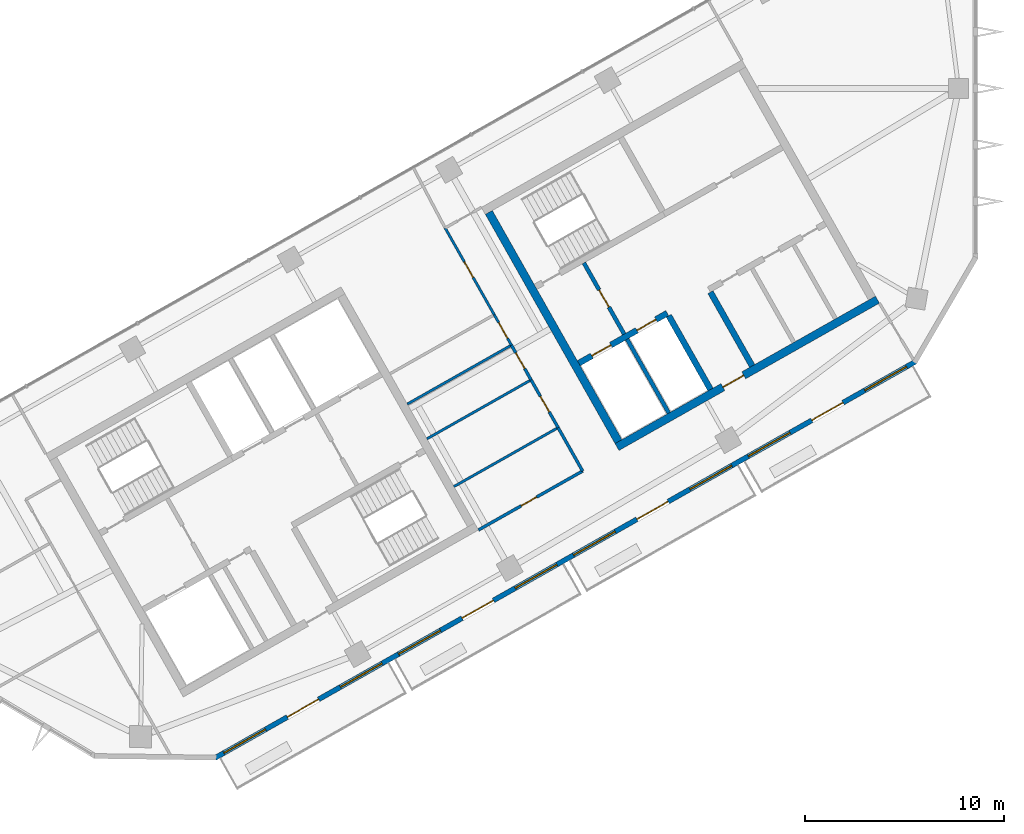
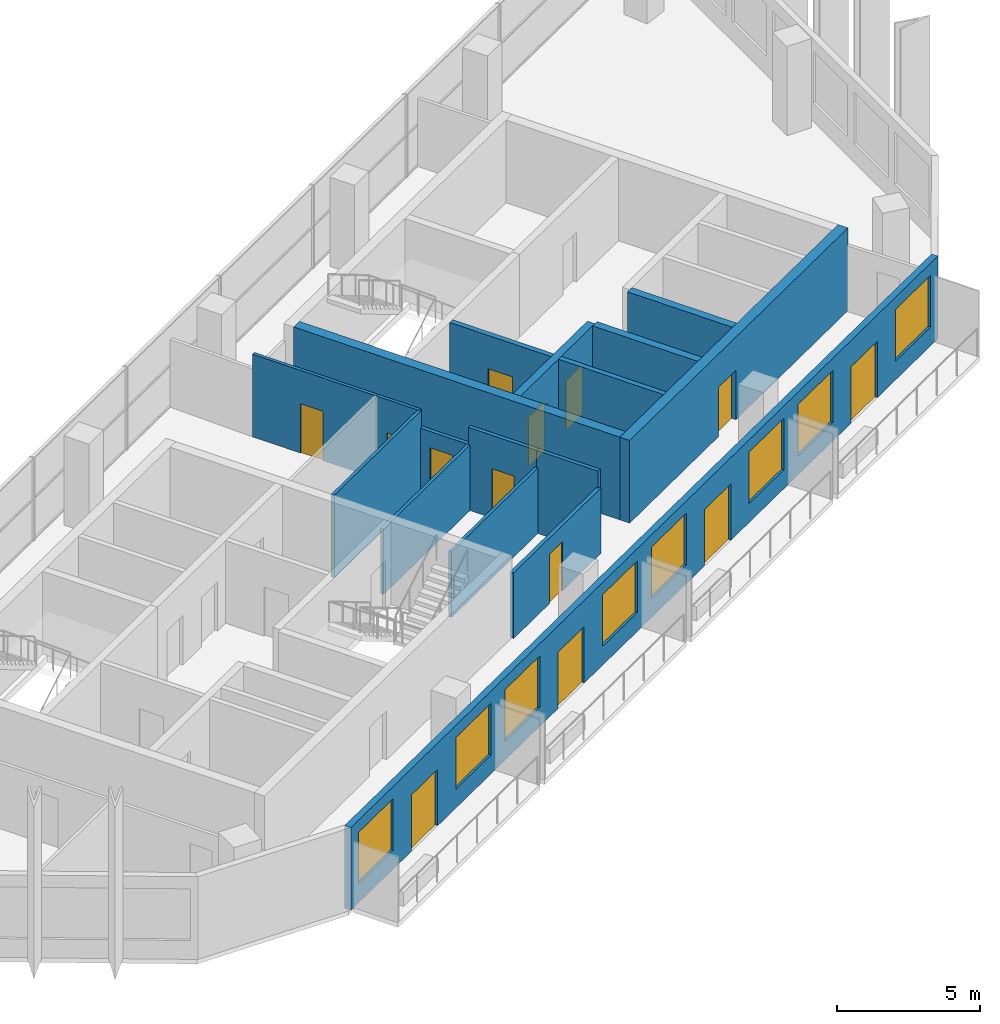
# One storey, part 7 of 10: 17 walls, 13 doors, 8 windows, 21 openings.
"""IFC4 building model written with IfcOpenShell, lengths in metres."""

import ifcopenshell
import ifcopenshell.guid

model = None  # the IFC model being written
_history = None  # IfcOwnerHistory: only IFC2X3 demands one
_inside = {}  # id of a spatial element -> (the spatial element, [elements in it])
_under = {}  # id of a project, library or spatial element -> (it, [spatial elements below it])
_declared = {}  # id of a project -> (the project, [libraries it declares])
_typed = {}  # id of a type object -> (the type object, [elements of that type])
_made_of = {}  # id of a material, layer set ... -> (it, [elements and type objects made of it])


def new_model(schema):
    """Start an empty IFC model of exactly this schema.

    Asked for "IFC4X3", IfcOpenShell would pick the latest addendum, in which some entities
    have other attributes; the version numbers below select the first issue.
    IFC2X3 requires an IfcOwnerHistory on every rooted entity: one is made here for all.
    """
    global model, _history
    if schema == "IFC4X3":
        model = ifcopenshell.file(schema_version=(4, 3, 0, 0))
    else:
        model = ifcopenshell.file(schema=schema)
    _inside.clear()
    _under.clear()
    _declared.clear()
    _typed.clear()
    _made_of.clear()
    _history = None
    if model.schema == "IFC2X3":
        org = make("IfcOrganization", Name="unknown")
        user = make(
            "IfcPersonAndOrganization",
            ThePerson=make("IfcPerson", FamilyName="unknown"),
            TheOrganization=org,
        )
        app = make(
            "IfcApplication",
            ApplicationDeveloper=org,
            Version="unknown",
            ApplicationFullName="unknown",
            ApplicationIdentifier="unknown",
        )
        _history = make(
            "IfcOwnerHistory",
            OwningUser=user,
            OwningApplication=app,
            ChangeAction="ADDED",
            CreationDate=0,
        )
    return model


def make(cls, **values):
    """One entity of the class cls with the attributes given. An attribute that is None is left unset."""
    return model.create_entity(
        cls, **{name: value for name, value in values.items() if value is not None}
    )


def rooted(cls, **values):
    """An entity with a GlobalId (a new one), such as an element, a storey or a relation."""
    return make(cls, GlobalId=ifcopenshell.guid.new(), OwnerHistory=_history, **values)


def si_unit(unit_type, name, prefix=None):
    """IfcSIUnit, for example si_unit("LENGTHUNIT", "METRE", prefix="MILLI")."""
    return make("IfcSIUnit", UnitType=unit_type, Prefix=prefix, Name=name)


def assignment(units):
    """IfcUnitAssignment: the units of a project."""
    return None if units is None else make("IfcUnitAssignment", Units=units)


def point(xyz):
    """IfcCartesianPoint."""
    return None if xyz is None else make("IfcCartesianPoint", Coordinates=xyz)


def direction(xyz):
    """IfcDirection."""
    return None if xyz is None else make("IfcDirection", DirectionRatios=xyz)


def frame(location, z_axis=None, x_axis=None):
    """IfcAxis2Placement3D, a coordinate frame: its origin and axes. An axis left out is left unset."""
    return make(
        "IfcAxis2Placement3D",
        Location=point(location),
        Axis=direction(z_axis),
        RefDirection=direction(x_axis),
    )


def frame_2d(location, x_axis=None):
    """IfcAxis2Placement2D, a coordinate frame in the plane: its origin and x axis."""
    return make(
        "IfcAxis2Placement2D", Location=point(location), RefDirection=direction(x_axis)
    )


def origin():
    """The frame at (0, 0, 0) with its axes left unset."""
    return frame((0.0, 0.0, 0.0))


def place(relative_to, where):
    """IfcLocalPlacement: puts the frame where relative to a parent placement (None: the world)."""
    return make(
        "IfcLocalPlacement", PlacementRelTo=relative_to, RelativePlacement=where
    )


def context(
    kind, dimensions, precision=None, world=None, true_north=None, identifier=None
):
    """IfcGeometricRepresentationContext, for example the 3D "Model" context."""
    return make(
        "IfcGeometricRepresentationContext",
        ContextIdentifier=identifier,
        ContextType=kind,
        CoordinateSpaceDimension=dimensions,
        Precision=precision,
        WorldCoordinateSystem=world,
        TrueNorth=true_north,
    )


def subcontext(parent, identifier, kind, view, scale=None):
    """IfcGeometricRepresentationSubContext, for example "Body" below "Model"."""
    return make(
        "IfcGeometricRepresentationSubContext",
        ContextIdentifier=identifier,
        ContextType=kind,
        ParentContext=parent,
        TargetScale=scale,
        TargetView=view,
    )


def project(units=None, contexts=None):
    """IfcProject with its units and contexts."""
    return rooted(
        "IfcProject",
        Name="project",
        RepresentationContexts=contexts,
        UnitsInContext=assignment(units),
    )


def spatial(cls, under=None, at=None, **own):
    """A site, building, storey or space (cls), placed at a placement, below another one or the project."""
    s = rooted(cls, ObjectPlacement=at, **own)
    if under is not None:
        _under.setdefault(under.id(), (under, []))[1].append(s)
    return s


def profile(cls, at=None, kind="AREA", **sizes):
    """A parametric profile (cls). Its sizes go by their IFC names, for example OverallWidth=200.0."""
    return make(cls, ProfileType=kind, Position=at, **sizes)


def rectangle(**sizes):
    """IfcRectangleProfileDef."""
    return profile("IfcRectangleProfileDef", **sizes)


def extrude(swept, where, along, depth):
    """IfcExtrudedAreaSolid: the profile swept, set in the frame where, extruded along a direction by depth."""
    return make(
        "IfcExtrudedAreaSolid",
        SweptArea=swept,
        Position=where,
        ExtrudedDirection=direction(along),
        Depth=depth,
    )


def shape(context_of_items, identifier, shape_type, items):
    """IfcShapeRepresentation: the items that make up one representation, for example the "Body"."""
    return make(
        "IfcShapeRepresentation",
        ContextOfItems=context_of_items,
        RepresentationIdentifier=identifier,
        RepresentationType=shape_type,
        Items=items,
    )


def material(Name=None, Category=None):
    """IfcMaterial."""
    return make("IfcMaterial", Name=Name, Category=Category)


def layer(
    of_material, thickness, ventilated=None, Name=None, Category=None, Priority=None
):
    """IfcMaterialLayer: one layer of a wall or slab, of a material (None: an air gap)."""
    return make(
        "IfcMaterialLayer",
        Material=of_material,
        LayerThickness=thickness,
        IsVentilated=ventilated,
        Name=Name,
        Category=Category,
        Priority=Priority,
    )


def layer_set(layers, Name=None):
    """IfcMaterialLayerSet."""
    return make("IfcMaterialLayerSet", MaterialLayers=layers, LayerSetName=Name)


def made_of(thing, what):
    """Note that an element or type object is made of a material, layer set ...; save() writes the relation."""
    if what is not None:
        _made_of.setdefault(what.id(), (what, []))[1].append(thing)
    return thing


def type_object(cls, material=None, **own):
    """A type object (cls), such as IfcWallType, which elements share."""
    return made_of(rooted(cls, **own), material)


def element(
    cls,
    number,
    at=None,
    inside=None,
    cuts=None,
    type_object=None,
    material=None,
    context=None,
    identifier="Body",
    shape_type=None,
    held_by="IfcProductDefinitionShape",
    body=None,
    shapes=None,
    **own,
):
    """One element of the class cls, such as IfcWall. Its Tag is "e" and its number.

    at: its placement. inside: the storey or other place that contains it. cuts: it is an
    opening in that element (IfcRelVoidsElement). A single representation is given by context,
    identifier, shape_type and body (its items); several are given by shapes. held_by: the class
    of the entity that holds the representations. save() writes the other relations.
    """
    e = rooted(cls, Tag="e%d" % number, ObjectPlacement=at, **own)
    if body is not None:
        shapes = [shape(context, identifier, shape_type, body)]
    if shapes is not None:
        e.Representation = make(held_by, Representations=shapes)
    if inside is not None:
        _inside.setdefault(inside.id(), (inside, []))[1].append(e)
    if cuts is not None:
        rooted(
            "IfcRelVoidsElement", RelatingBuildingElement=cuts, RelatedOpeningElement=e
        )
    if type_object is not None:
        _typed.setdefault(type_object.id(), (type_object, []))[1].append(e)
    return made_of(e, material)


def fill(opening, filler):
    """IfcRelFillsElement: the door or window that sits in an opening."""
    return rooted(
        "IfcRelFillsElement",
        RelatingOpeningElement=opening,
        RelatedBuildingElement=filler,
    )


def aggregate(whole, parts):
    """IfcRelAggregates: a whole, such as a stair, and the parts it consists of."""
    return rooted("IfcRelAggregates", RelatingObject=whole, RelatedObjects=parts)


def save(model, path):
    """Write the relations noted so far, then the file.

    IfcRelAggregates (storeys below a building ...), IfcRelContainedInSpatialStructure (elements
    in a storey), IfcRelDefinesByType, IfcRelAssociatesMaterial and IfcRelDeclares: one each for
    every whole, place, type object, material and project.
    """
    for whole, parts in _under.values():
        aggregate(whole, parts)
    for where, things in _inside.values():
        rooted(
            "IfcRelContainedInSpatialStructure",
            RelatedElements=things,
            RelatingStructure=where,
        )
    for kind, things in _typed.values():
        rooted("IfcRelDefinesByType", RelatedObjects=things, RelatingType=kind)
    for what, things in _made_of.values():
        rooted("IfcRelAssociatesMaterial", RelatedObjects=things, RelatingMaterial=what)
    for by, libraries in _declared.values():
        rooted("IfcRelDeclares", RelatingContext=by, RelatedDefinitions=libraries)
    model.write(path)


model = new_model("IFC4")

# Units and contexts
model_context = context("Model", 3, precision=1e-05, world=origin(), true_north=direction((0.0, 1.0)))
body_context = subcontext(model_context, "Body", "Model", "MODEL_VIEW")
ifc_project = project(units=[si_unit("LENGTHUNIT", "METRE"), si_unit("AREAUNIT", "SQUARE_METRE"), si_unit("VOLUMEUNIT", "CUBIC_METRE"), si_unit("PLANEANGLEUNIT", "RADIAN"), si_unit("MASSUNIT", "GRAM", prefix="KILO")], contexts=[model_context])

# Site, building, storey
site_placement = place(None, origin())
site = spatial("IfcSite", under=ifc_project, at=site_placement, CompositionType="ELEMENT")
building_placement = place(site_placement, origin())
building = spatial("IfcBuilding", under=site, at=building_placement, Name="Binnacle Exchange Tower", CompositionType="ELEMENT")
storey_placement = place(building_placement, frame((0.0, 0.0, 339.300048828125)))
storey = spatial("IfcBuildingStorey", under=building, at=storey_placement, Name="L77", CompositionType="ELEMENT", Elevation=339.300048828125)

# Wall, openings, doors
ifc_material_1 = material(Name="Concrete C70/85", Category="concrete")
ifc_layer_1 = layer(ifc_material_1, 0.300048828125)
ifc_layer_set_1 = layer_set([ifc_layer_1], Name="Core wall - front 300")
wall_type_1 = type_object("IfcWallType", Name="Core wall - front 300", PredefinedType="SOLIDWALL", material=ifc_layer_set_1)
wall_1_placement = place(storey_placement, frame((-19.89208984375, 46.2177734375, 0.0), z_axis=(0.0, 0.0, 1.0), x_axis=(0.870341639186, 0.492448404505, 0.0)))
wall_1 = element("IfcWall", 1, at=wall_1_placement, inside=storey, type_object=wall_type_1, Name="Core wall CRWC2", PredefinedType="SOLIDWALL", context=body_context, shape_type="SweptSolid", body=[
    extrude(rectangle(XDim=5.099853515625, YDim=0.300048828125, at=frame_2d((2.5498046875, 0.0))), origin(), (0.0, 0.0, 1.0), 3.52001953125),
])
opening_1_placement = place(wall_1_placement, frame((0.75, 0.0, 0.0)))
opening_1 = element("IfcOpeningElement", 2, at=opening_1_placement, cuts=wall_1, Name="Opening LD14", PredefinedType="OPENING", context=body_context, shape_type="SweptSolid", body=[
    extrude(rectangle(XDim=1.10009765625, YDim=2.10009765625, at=frame_2d((0.550048828125, 1.050048828125))), frame((0.0, 0.159912109375, 0.0), z_axis=(0.0, -1.0, 0.0), x_axis=(1.0, 0.0, 0.0)), (0.0, 0.0, 1.0), 0.320068359375),
])
opening_2_placement = place(wall_1_placement, frame((3.35009765625, 0.0, 0.0)))
opening_2 = element("IfcOpeningElement", 3, at=opening_2_placement, cuts=wall_1, Name="Opening LD11", PredefinedType="OPENING", context=body_context, shape_type="SweptSolid", body=[
    extrude(rectangle(XDim=1.10009765625, YDim=2.10009765625, at=frame_2d((0.550048828125, 1.050048828125))), frame((0.0, 0.159912109375, 0.0), z_axis=(0.0, -1.0, 0.0), x_axis=(1.0, 0.0, 0.0)), (0.0, 0.0, 1.0), 0.320068359375),
])
ifc_material_2 = material(Name="Steel door leaf", Category="steel")
door_type_1 = type_object("IfcDoorType", Name="Fire door - lift landing 1100", OperationType="NOTDEFINED", PredefinedType="DOOR", material=ifc_material_2)
door_1_placement = place(opening_1_placement, origin())
door_1 = element("IfcDoor", 4, at=door_1_placement, inside=storey, type_object=door_type_1, Name="Landing door LD14 L77", OperationType="DOUBLE_DOOR_SLIDING", OverallHeight=2.10009765625, OverallWidth=1.10009765625, PredefinedType="DOOR", context=body_context, shape_type="SweptSolid", body=[
    extrude(rectangle(XDim=1.10009765625, YDim=2.10009765625, at=frame_2d((0.550048828125, 1.050048828125))), frame((0.0, 0.02490234375, 0.0), z_axis=(0.0, -1.0, 0.0), x_axis=(1.0, 0.0, 0.0)), (0.0, 0.0, 1.0), 0.050048828125),
])
fill(opening_1, door_1)
door_2_placement = place(opening_2_placement, origin())
door_2 = element("IfcDoor", 5, at=door_2_placement, inside=storey, type_object=door_type_1, Name="Landing door LD11 L77", OperationType="DOUBLE_DOOR_SLIDING", OverallHeight=2.10009765625, OverallWidth=1.10009765625, PredefinedType="DOOR", context=body_context, shape_type="SweptSolid", body=[
    extrude(rectangle(XDim=1.10009765625, YDim=2.10009765625, at=frame_2d((0.550048828125, 1.050048828125))), frame((0.0, 0.02490234375, 0.0), z_axis=(0.0, -1.0, 0.0), x_axis=(1.0, 0.0, 0.0)), (0.0, 0.0, 1.0), 0.050048828125),
])
fill(opening_2, door_2)

# Walls
wall_2_placement = place(storey_placement, frame((-15.37939453125, 48.5986328125, 0.0), z_axis=(0.0, 0.0, 1.0), x_axis=(0.492422543467, -0.870356271124, 0.0)))
element("IfcWall", 6, at=wall_2_placement, inside=storey, type_object=wall_type_1, Name="Core wall CRWC13", PredefinedType="SOLIDWALL", context=body_context, shape_type="SweptSolid", body=[
    extrude(rectangle(XDim=4.25, YDim=0.300048828125, at=frame_2d((2.125, 0.0))), origin(), (0.0, 0.0, 1.0), 3.52001953125),
])
wall_3_placement = place(storey_placement, frame((-13.29052734375, 49.780517578125, 0.0), z_axis=(0.0, 0.0, 1.0), x_axis=(0.492397924348, -0.870370199454, 0.0)))
element("IfcWall", 7, at=wall_3_placement, inside=storey, type_object=wall_type_1, Name="Core wall CRWC15", PredefinedType="SOLIDWALL", context=body_context, shape_type="SweptSolid", body=[
    extrude(rectangle(XDim=4.250244140625, YDim=0.300048828125, at=frame_2d((2.125, 0.0))), origin(), (0.0, 0.0, 1.0), 3.52001953125),
])

# Wall, opening, door
ifc_layer_2 = layer(ifc_material_1, 0.39990234375)
ifc_layer_set_2 = layer_set([ifc_layer_2], Name="Core wall - outer 400")
wall_type_2 = type_object("IfcWallType", Name="Core wall - outer 400", PredefinedType="SOLIDWALL", material=ifc_layer_set_2)
wall_4_placement = place(storey_placement, frame((-17.97509765625, 42.01708984375, 0.0), z_axis=(0.0, 0.0, 1.0), x_axis=(0.87034965173, 0.492434243055, 0.0)))
wall_4 = element("IfcWall", 8, at=wall_4_placement, inside=storey, type_object=wall_type_2, Name="Core wall CRWC1", PredefinedType="SOLIDWALL", context=body_context, shape_type="SweptSolid", body=[
    extrude(rectangle(XDim=15.0, YDim=0.39990234375, at=frame_2d((7.5, 0.0))), origin(), (0.0, 0.0, 1.0), 3.52001953125),
])
opening_3_placement = place(wall_4_placement, frame((6.10009765625, 0.0, 0.0)))
opening_3 = element("IfcOpeningElement", 9, at=opening_3_placement, cuts=wall_4, Name="Opening DC7", PredefinedType="OPENING", context=body_context, shape_type="SweptSolid", body=[
    extrude(rectangle(XDim=1.199951171875, YDim=2.10009765625, at=frame_2d((0.60009765625, 1.050048828125))), frame((0.0, 0.2099609375, 0.0), z_axis=(0.0, -1.0, 0.0), x_axis=(1.0, 0.0, 0.0)), (0.0, 0.0, 1.0), 0.419921875),
])
door_type_2 = type_object("IfcDoorType", Name="Fire door 1200", OperationType="NOTDEFINED", PredefinedType="DOOR", material=ifc_material_2)
door_3_placement = place(opening_3_placement, frame((1.199951171875, 0.0, 0.0), z_axis=(0.0, 0.0, 1.0), x_axis=(-1.0, 0.0, 0.0)))
door_3 = element("IfcDoor", 10, at=door_3_placement, inside=storey, type_object=door_type_2, Name="Lift lobby entrance door core C", OperationType="SINGLE_SWING_RIGHT", OverallHeight=2.10009765625, OverallWidth=1.199951171875, PredefinedType="DOOR", context=body_context, shape_type="SweptSolid", body=[
    extrude(rectangle(XDim=1.199951171875, YDim=2.10009765625, at=frame_2d((0.60009765625, 1.050048828125))), frame((0.0, 0.02490234375, 0.0), z_axis=(0.0, -1.0, 0.0), x_axis=(1.0, 0.0, 0.0)), (0.0, 0.0, 1.0), 0.050048828125),
])
fill(opening_3, door_3)

# Wall
wall_5_placement = place(storey_placement, frame((-24.399658203125, 53.778564453125, 0.0), z_axis=(0.0, 0.0, 1.0), x_axis=(0.492421663121, -0.870356769198, 0.0)))
element("IfcWall", 11, at=wall_5_placement, inside=storey, type_object=wall_type_2, Name="Core wall CRWC7", PredefinedType="SOLIDWALL", context=body_context, shape_type="SweptSolid", body=[
    extrude(rectangle(XDim=13.199951171875, YDim=0.39990234375, at=frame_2d((6.60009765625, 0.0))), origin(), (0.0, 0.0, 1.0), 3.52001953125),
])

# Wall, openings, doors, windows
ifc_material_3 = material(Name="Bronze aluminium cladding", Category="aluminium")
ifc_layer_3 = layer(ifc_material_3, 0.25)
ifc_layer_set_3 = layer_set([ifc_layer_3], Name="External wall - window wall 250")
wall_type_3 = type_object("IfcWallType", Name="External wall - window wall 250", PredefinedType="STANDARD", material=ifc_layer_set_3)
wall_6_placement = place(storey_placement, frame((-3.016845703125, 46.293212890625, 0.0), z_axis=(0.0, 0.0, 1.0), x_axis=(-0.870355474887, -0.492423950812, 0.0)))
wall_6 = element("IfcWall", 12, at=wall_6_placement, inside=storey, type_object=wall_type_3, Name="External wall EW-H07 L77", PredefinedType="STANDARD", context=body_context, shape_type="SweptSolid", body=[
    extrude(rectangle(XDim=40.34033203125, YDim=0.25, at=frame_2d((20.170166015625, 0.0))), origin(), (0.0, 0.0, 1.0), 3.52001953125),
])
opening_4_placement = place(wall_6_placement, frame((37.428466796875, 0.0, 0.800048828125)))
opening_4 = element("IfcOpeningElement", 13, at=opening_4_placement, cuts=wall_6, Name="Opening WR2", PredefinedType="OPENING", context=body_context, shape_type="SweptSolid", body=[
    extrude(rectangle(XDim=2.39990234375, YDim=2.199951171875, at=frame_2d((1.199951171875, 1.10009765625))), frame((0.0, 0.135009765625, 0.0), z_axis=(0.0, -1.0, 0.0), x_axis=(1.0, 0.0, 0.0)), (0.0, 0.0, 1.0), 0.27001953125),
])
opening_5_placement = place(wall_6_placement, frame((34.372314453125, 0.0, 0.0)))
opening_5 = element("IfcOpeningElement", 14, at=opening_5_placement, cuts=wall_6, Name="Opening D-FS22-01", PredefinedType="OPENING", context=body_context, shape_type="SweptSolid", body=[
    extrude(rectangle(XDim=1.800048828125, YDim=2.39990234375, at=frame_2d((0.89990234375, 1.199951171875))), frame((0.0, 0.135009765625, 0.0), z_axis=(0.0, -1.0, 0.0), x_axis=(1.0, 0.0, 0.0)), (0.0, 0.0, 1.0), 0.27001953125),
])
opening_6_placement = place(wall_6_placement, frame((30.71630859375, 0.0, 0.800048828125)))
opening_6 = element("IfcOpeningElement", 15, at=opening_6_placement, cuts=wall_6, Name="Opening WR2", PredefinedType="OPENING", context=body_context, shape_type="SweptSolid", body=[
    extrude(rectangle(XDim=2.39990234375, YDim=2.199951171875, at=frame_2d((1.199951171875, 1.10009765625))), frame((0.0, 0.135009765625, 0.0), z_axis=(0.0, -1.0, 0.0), x_axis=(1.0, 0.0, 0.0)), (0.0, 0.0, 1.0), 0.27001953125),
])
opening_7_placement = place(wall_6_placement, frame((27.3603515625, 0.0, 0.800048828125)))
opening_7 = element("IfcOpeningElement", 16, at=opening_7_placement, cuts=wall_6, Name="Opening WR2", PredefinedType="OPENING", context=body_context, shape_type="SweptSolid", body=[
    extrude(rectangle(XDim=2.39990234375, YDim=2.199951171875, at=frame_2d((1.199951171875, 1.10009765625))), frame((0.0, 0.135009765625, 0.0), z_axis=(0.0, -1.0, 0.0), x_axis=(1.0, 0.0, 0.0)), (0.0, 0.0, 1.0), 0.27001953125),
])
opening_8_placement = place(wall_6_placement, frame((24.30419921875, 0.0, 0.0)))
opening_8 = element("IfcOpeningElement", 17, at=opening_8_placement, cuts=wall_6, Name="Opening D-FS22-02", PredefinedType="OPENING", context=body_context, shape_type="SweptSolid", body=[
    extrude(rectangle(XDim=1.800048828125, YDim=2.39990234375, at=frame_2d((0.89990234375, 1.199951171875))), frame((0.0, 0.135009765625, 0.0), z_axis=(0.0, -1.0, 0.0), x_axis=(1.0, 0.0, 0.0)), (0.0, 0.0, 1.0), 0.27001953125),
])
opening_9_placement = place(wall_6_placement, frame((20.648193359375, 0.0, 0.800048828125)))
opening_9 = element("IfcOpeningElement", 18, at=opening_9_placement, cuts=wall_6, Name="Opening WR2", PredefinedType="OPENING", context=body_context, shape_type="SweptSolid", body=[
    extrude(rectangle(XDim=2.39990234375, YDim=2.199951171875, at=frame_2d((1.199951171875, 1.10009765625))), frame((0.0, 0.135009765625, 0.0), z_axis=(0.0, -1.0, 0.0), x_axis=(1.0, 0.0, 0.0)), (0.0, 0.0, 1.0), 0.27001953125),
])
opening_10_placement = place(wall_6_placement, frame((17.2919921875, 0.0, 0.800048828125)))
opening_10 = element("IfcOpeningElement", 19, at=opening_10_placement, cuts=wall_6, Name="Opening WR2", PredefinedType="OPENING", context=body_context, shape_type="SweptSolid", body=[
    extrude(rectangle(XDim=2.39990234375, YDim=2.199951171875, at=frame_2d((1.199951171875, 1.10009765625))), frame((0.0, 0.135009765625, 0.0), z_axis=(0.0, -1.0, 0.0), x_axis=(1.0, 0.0, 0.0)), (0.0, 0.0, 1.0), 0.27001953125),
])
opening_11_placement = place(wall_6_placement, frame((14.236083984375, 0.0, 0.0)))
opening_11 = element("IfcOpeningElement", 20, at=opening_11_placement, cuts=wall_6, Name="Opening D-FS22-03", PredefinedType="OPENING", context=body_context, shape_type="SweptSolid", body=[
    extrude(rectangle(XDim=1.800048828125, YDim=2.39990234375, at=frame_2d((0.89990234375, 1.199951171875))), frame((0.0, 0.135009765625, 0.0), z_axis=(0.0, -1.0, 0.0), x_axis=(1.0, 0.0, 0.0)), (0.0, 0.0, 1.0), 0.27001953125),
])
opening_12_placement = place(wall_6_placement, frame((10.580078125, 0.0, 0.800048828125)))
opening_12 = element("IfcOpeningElement", 21, at=opening_12_placement, cuts=wall_6, Name="Opening WR2", PredefinedType="OPENING", context=body_context, shape_type="SweptSolid", body=[
    extrude(rectangle(XDim=2.39990234375, YDim=2.199951171875, at=frame_2d((1.199951171875, 1.10009765625))), frame((0.0, 0.135009765625, 0.0), z_axis=(0.0, -1.0, 0.0), x_axis=(1.0, 0.0, 0.0)), (0.0, 0.0, 1.0), 0.27001953125),
])
opening_13_placement = place(wall_6_placement, frame((7.223876953125, 0.0, 0.800048828125)))
opening_13 = element("IfcOpeningElement", 22, at=opening_13_placement, cuts=wall_6, Name="Opening WR2", PredefinedType="OPENING", context=body_context, shape_type="SweptSolid", body=[
    extrude(rectangle(XDim=2.39990234375, YDim=2.199951171875, at=frame_2d((1.199951171875, 1.10009765625))), frame((0.0, 0.135009765625, 0.0), z_axis=(0.0, -1.0, 0.0), x_axis=(1.0, 0.0, 0.0)), (0.0, 0.0, 1.0), 0.27001953125),
])
opening_14_placement = place(wall_6_placement, frame((4.16796875, 0.0, 0.0)))
opening_14 = element("IfcOpeningElement", 23, at=opening_14_placement, cuts=wall_6, Name="Opening D-FS22-04", PredefinedType="OPENING", context=body_context, shape_type="SweptSolid", body=[
    extrude(rectangle(XDim=1.800048828125, YDim=2.39990234375, at=frame_2d((0.89990234375, 1.199951171875))), frame((0.0, 0.135009765625, 0.0), z_axis=(0.0, -1.0, 0.0), x_axis=(1.0, 0.0, 0.0)), (0.0, 0.0, 1.0), 0.27001953125),
])
opening_15_placement = place(wall_6_placement, frame((0.51171875, 0.0, 0.800048828125)))
opening_15 = element("IfcOpeningElement", 24, at=opening_15_placement, cuts=wall_6, Name="Opening WR2", PredefinedType="OPENING", context=body_context, shape_type="SweptSolid", body=[
    extrude(rectangle(XDim=2.39990234375, YDim=2.199951171875, at=frame_2d((1.199951171875, 1.10009765625))), frame((0.0, 0.135009765625, 0.0), z_axis=(0.0, -1.0, 0.0), x_axis=(1.0, 0.0, 0.0)), (0.0, 0.0, 1.0), 0.27001953125),
])
ifc_material_4 = material(Name="Bronze anodised aluminium frame", Category="aluminium")
door_type_3 = type_object("IfcDoorType", Name="DB DOOR 1800x2400", OperationType="DOUBLE_DOOR_SINGLE_SWING", PredefinedType="DOOR", material=ifc_material_4)
door_4_placement = place(opening_5_placement, origin())
door_4 = element("IfcDoor", 25, at=door_4_placement, inside=storey, type_object=door_type_3, Name="Door D-FS22-01 L77", OperationType="DOUBLE_DOOR_SINGLE_SWING", OverallHeight=2.39990234375, OverallWidth=1.800048828125, PredefinedType="DOOR", context=body_context, shape_type="SweptSolid", body=[
    extrude(rectangle(XDim=1.800048828125, YDim=2.39990234375, at=frame_2d((0.89990234375, 1.199951171875))), frame((0.0, 0.02490234375, 0.0), z_axis=(0.0, -1.0, 0.0), x_axis=(1.0, 0.0, 0.0)), (0.0, 0.0, 1.0), 0.050048828125),
])
fill(opening_5, door_4)
door_5_placement = place(opening_8_placement, origin())
door_5 = element("IfcDoor", 26, at=door_5_placement, inside=storey, type_object=door_type_3, Name="Door D-FS22-02 L77", OperationType="DOUBLE_DOOR_SINGLE_SWING", OverallHeight=2.39990234375, OverallWidth=1.800048828125, PredefinedType="DOOR", context=body_context, shape_type="SweptSolid", body=[
    extrude(rectangle(XDim=1.800048828125, YDim=2.39990234375, at=frame_2d((0.89990234375, 1.199951171875))), frame((0.0, 0.02490234375, 0.0), z_axis=(0.0, -1.0, 0.0), x_axis=(1.0, 0.0, 0.0)), (0.0, 0.0, 1.0), 0.050048828125),
])
fill(opening_8, door_5)
door_6_placement = place(opening_11_placement, origin())
door_6 = element("IfcDoor", 27, at=door_6_placement, inside=storey, type_object=door_type_3, Name="Door D-FS22-03 L77", OperationType="DOUBLE_DOOR_SINGLE_SWING", OverallHeight=2.39990234375, OverallWidth=1.800048828125, PredefinedType="DOOR", context=body_context, shape_type="SweptSolid", body=[
    extrude(rectangle(XDim=1.800048828125, YDim=2.39990234375, at=frame_2d((0.89990234375, 1.199951171875))), frame((0.0, 0.02490234375, 0.0), z_axis=(0.0, -1.0, 0.0), x_axis=(1.0, 0.0, 0.0)), (0.0, 0.0, 1.0), 0.050048828125),
])
fill(opening_11, door_6)
door_7_placement = place(opening_14_placement, origin())
door_7 = element("IfcDoor", 28, at=door_7_placement, inside=storey, type_object=door_type_3, Name="Door D-FS22-04 L77", OperationType="DOUBLE_DOOR_SINGLE_SWING", OverallHeight=2.39990234375, OverallWidth=1.800048828125, PredefinedType="DOOR", context=body_context, shape_type="SweptSolid", body=[
    extrude(rectangle(XDim=1.800048828125, YDim=2.39990234375, at=frame_2d((0.89990234375, 1.199951171875))), frame((0.0, 0.02490234375, 0.0), z_axis=(0.0, -1.0, 0.0), x_axis=(1.0, 0.0, 0.0)), (0.0, 0.0, 1.0), 0.050048828125),
])
fill(opening_14, door_7)
window_type = type_object("IfcWindowType", Name="WR2 WINDOW 2400x2200", PartitioningType="SINGLE_PANEL", PredefinedType="WINDOW", material=ifc_material_4)
window_1_placement = place(opening_4_placement, origin())
window_1 = element("IfcWindow", 29, at=window_1_placement, inside=storey, type_object=window_type, Name="Window WR2 L77", OverallHeight=2.199951171875, OverallWidth=2.39990234375, PartitioningType="SINGLE_PANEL", PredefinedType="WINDOW", context=body_context, shape_type="SweptSolid", body=[
    extrude(rectangle(XDim=2.39990234375, YDim=2.199951171875, at=frame_2d((1.199951171875, 1.10009765625))), frame((0.0, 0.030029296875, 0.0), z_axis=(0.0, -1.0, 0.0), x_axis=(1.0, 0.0, 0.0)), (0.0, 0.0, 1.0), 0.06005859375),
])
fill(opening_4, window_1)
window_2_placement = place(opening_6_placement, origin())
window_2 = element("IfcWindow", 30, at=window_2_placement, inside=storey, type_object=window_type, Name="Window WR2 L77", OverallHeight=2.199951171875, OverallWidth=2.39990234375, PartitioningType="SINGLE_PANEL", PredefinedType="WINDOW", context=body_context, shape_type="SweptSolid", body=[
    extrude(rectangle(XDim=2.39990234375, YDim=2.199951171875, at=frame_2d((1.199951171875, 1.10009765625))), frame((0.0, 0.030029296875, 0.0), z_axis=(0.0, -1.0, 0.0), x_axis=(1.0, 0.0, 0.0)), (0.0, 0.0, 1.0), 0.06005859375),
])
fill(opening_6, window_2)
window_3_placement = place(opening_7_placement, origin())
window_3 = element("IfcWindow", 31, at=window_3_placement, inside=storey, type_object=window_type, Name="Window WR2 L77", OverallHeight=2.199951171875, OverallWidth=2.39990234375, PartitioningType="SINGLE_PANEL", PredefinedType="WINDOW", context=body_context, shape_type="SweptSolid", body=[
    extrude(rectangle(XDim=2.39990234375, YDim=2.199951171875, at=frame_2d((1.199951171875, 1.10009765625))), frame((0.0, 0.030029296875, 0.0), z_axis=(0.0, -1.0, 0.0), x_axis=(1.0, 0.0, 0.0)), (0.0, 0.0, 1.0), 0.06005859375),
])
fill(opening_7, window_3)
window_4_placement = place(opening_9_placement, origin())
window_4 = element("IfcWindow", 32, at=window_4_placement, inside=storey, type_object=window_type, Name="Window WR2 L77", OverallHeight=2.199951171875, OverallWidth=2.39990234375, PartitioningType="SINGLE_PANEL", PredefinedType="WINDOW", context=body_context, shape_type="SweptSolid", body=[
    extrude(rectangle(XDim=2.39990234375, YDim=2.199951171875, at=frame_2d((1.199951171875, 1.10009765625))), frame((0.0, 0.030029296875, 0.0), z_axis=(0.0, -1.0, 0.0), x_axis=(1.0, 0.0, 0.0)), (0.0, 0.0, 1.0), 0.06005859375),
])
fill(opening_9, window_4)
window_5_placement = place(opening_10_placement, origin())
window_5 = element("IfcWindow", 33, at=window_5_placement, inside=storey, type_object=window_type, Name="Window WR2 L77", OverallHeight=2.199951171875, OverallWidth=2.39990234375, PartitioningType="SINGLE_PANEL", PredefinedType="WINDOW", context=body_context, shape_type="SweptSolid", body=[
    extrude(rectangle(XDim=2.39990234375, YDim=2.199951171875, at=frame_2d((1.199951171875, 1.10009765625))), frame((0.0, 0.030029296875, 0.0), z_axis=(0.0, -1.0, 0.0), x_axis=(1.0, 0.0, 0.0)), (0.0, 0.0, 1.0), 0.06005859375),
])
fill(opening_10, window_5)
window_6_placement = place(opening_12_placement, origin())
window_6 = element("IfcWindow", 34, at=window_6_placement, inside=storey, type_object=window_type, Name="Window WR2 L77", OverallHeight=2.199951171875, OverallWidth=2.39990234375, PartitioningType="SINGLE_PANEL", PredefinedType="WINDOW", context=body_context, shape_type="SweptSolid", body=[
    extrude(rectangle(XDim=2.39990234375, YDim=2.199951171875, at=frame_2d((1.199951171875, 1.10009765625))), frame((0.0, 0.030029296875, 0.0), z_axis=(0.0, -1.0, 0.0), x_axis=(1.0, 0.0, 0.0)), (0.0, 0.0, 1.0), 0.06005859375),
])
fill(opening_12, window_6)
window_7_placement = place(opening_13_placement, origin())
window_7 = element("IfcWindow", 35, at=window_7_placement, inside=storey, type_object=window_type, Name="Window WR2 L77", OverallHeight=2.199951171875, OverallWidth=2.39990234375, PartitioningType="SINGLE_PANEL", PredefinedType="WINDOW", context=body_context, shape_type="SweptSolid", body=[
    extrude(rectangle(XDim=2.39990234375, YDim=2.199951171875, at=frame_2d((1.199951171875, 1.10009765625))), frame((0.0, 0.030029296875, 0.0), z_axis=(0.0, -1.0, 0.0), x_axis=(1.0, 0.0, 0.0)), (0.0, 0.0, 1.0), 0.06005859375),
])
fill(opening_13, window_7)
window_8_placement = place(opening_15_placement, origin())
window_8 = element("IfcWindow", 36, at=window_8_placement, inside=storey, type_object=window_type, Name="Window WR2 L77", OverallHeight=2.199951171875, OverallWidth=2.39990234375, PartitioningType="SINGLE_PANEL", PredefinedType="WINDOW", context=body_context, shape_type="SweptSolid", body=[
    extrude(rectangle(XDim=2.39990234375, YDim=2.199951171875, at=frame_2d((1.199951171875, 1.10009765625))), frame((0.0, 0.030029296875, 0.0), z_axis=(0.0, -1.0, 0.0), x_axis=(1.0, 0.0, 0.0)), (0.0, 0.0, 1.0), 0.06005859375),
])
fill(opening_15, window_8)

# Wall, opening, door
ifc_material_5 = material(Name="Masonry block wall", Category="masonry")
ifc_layer_4 = layer(ifc_material_5, 0.199951171875)
ifc_layer_set_4 = layer_set([ifc_layer_4], Name="Fire wall - vestibule 200")
wall_type_4 = type_object("IfcWallType", Name="Fire wall - vestibule 200", PredefinedType="PARTITIONING", material=ifc_layer_set_4)
wall_7_placement = place(storey_placement, frame((-19.635009765625, 51.246337890625, 0.0), z_axis=(0.0, 0.0, 1.0), x_axis=(0.492408451753, -0.87036424366, 0.0)))
wall_7 = element("IfcWall", 37, at=wall_7_placement, inside=storey, type_object=wall_type_4, Name="Core wall CRWC10", PredefinedType="PARTITIONING", context=body_context, shape_type="SweptSolid", body=[
    extrude(rectangle(XDim=4.099853515625, YDim=0.199951171875, at=frame_2d((2.0498046875, 0.0))), origin(), (0.0, 0.0, 1.0), 3.52001953125),
])
opening_16_placement = place(wall_7_placement, frame((1.550048828125, 0.0, 0.0)))
opening_16 = element("IfcOpeningElement", 38, at=opening_16_placement, cuts=wall_7, Name="Opening DC3", PredefinedType="OPENING", context=body_context, shape_type="SweptSolid", body=[
    extrude(rectangle(XDim=1.0, YDim=2.10009765625, at=frame_2d((0.5, 1.050048828125))), frame((0.0, 0.10986328125, 0.0), z_axis=(0.0, -1.0, 0.0), x_axis=(1.0, 0.0, 0.0)), (0.0, 0.0, 1.0), 0.219970703125),
])
door_type_4 = type_object("IfcDoorType", Name="Fire door 1000", OperationType="NOTDEFINED", PredefinedType="DOOR", material=ifc_material_2)
door_8_placement = place(opening_16_placement, frame((1.0, 0.0, 0.0), z_axis=(0.0, 0.0, 1.0), x_axis=(-1.0, 0.0, 0.0)))
door_8 = element("IfcDoor", 39, at=door_8_placement, inside=storey, type_object=door_type_4, Name="Vestibule door VEST-W", OperationType="SINGLE_SWING_RIGHT", OverallHeight=2.10009765625, OverallWidth=1.0, PredefinedType="DOOR", context=body_context, shape_type="SweptSolid", body=[
    extrude(rectangle(XDim=1.0, YDim=2.10009765625, at=frame_2d((0.5, 1.050048828125))), frame((0.0, 0.02490234375, 0.0), z_axis=(0.0, -1.0, 0.0), x_axis=(1.0, 0.0, 0.0)), (0.0, 0.0, 1.0), 0.050048828125),
])
fill(opening_16, door_8)

ifc_material_6 = material(Name="Gypsum partition fire rated")
ifc_layer_5 = layer(ifc_material_6, 0.14990234375)
ifc_layer_set_5 = layer_set([ifc_layer_5], Name="Fire-rated partition 150")
wall_type_5 = type_object("IfcWallType", Name="Fire-rated partition 150", PredefinedType="PARTITIONING", material=ifc_layer_set_5)
wall_8_placement = place(storey_placement, frame((-24.9189453125, 37.85888671875, 0.0), z_axis=(0.0, 0.0, 1.0), x_axis=(0.870308850352, 0.492506350211, 0.0)))
wall_8 = element("IfcWall", 40, at=wall_8_placement, inside=storey, type_object=wall_type_5, Name="Partition W15", PredefinedType="PARTITIONING", context=body_context, shape_type="SweptSolid", body=[
    extrude(rectangle(XDim=6.0, YDim=0.14990234375, at=frame_2d((3.0, 0.0))), origin(), (0.0, 0.0, 1.0), 2.7919921875),
])
opening_17_placement = place(wall_8_placement, frame((2.449951171875, 0.0, 0.0)))
opening_17 = element("IfcOpeningElement", 41, at=opening_17_placement, cuts=wall_8, Name="Opening DL77-01", PredefinedType="OPENING", context=body_context, shape_type="SweptSolid", body=[
    extrude(rectangle(XDim=0.89990234375, YDim=2.10009765625, at=frame_2d((0.449951171875, 1.050048828125))), frame((0.0, 0.0849609375, 0.0), z_axis=(0.0, -1.0, 0.0), x_axis=(1.0, 0.0, 0.0)), (0.0, 0.0, 1.0), 0.169921875),
])
door_type_5 = type_object("IfcDoorType", Name="Fire door 900", OperationType="NOTDEFINED", PredefinedType="DOOR", material=ifc_material_2)
door_9_placement = place(opening_17_placement, origin())
door_9 = element("IfcDoor", 42, at=door_9_placement, inside=storey, type_object=door_type_5, Name="Door DL77-01", OperationType="SINGLE_SWING_LEFT", OverallHeight=2.10009765625, OverallWidth=0.89990234375, PredefinedType="DOOR", context=body_context, shape_type="SweptSolid", body=[
    extrude(rectangle(XDim=0.89990234375, YDim=2.10009765625, at=frame_2d((0.449951171875, 1.050048828125))), frame((0.0, 0.02490234375, 0.0), z_axis=(0.0, -1.0, 0.0), x_axis=(1.0, 0.0, 0.0)), (0.0, 0.0, 1.0), 0.050048828125),
])
fill(opening_17, door_9)

wall_9_placement = place(storey_placement, frame((-23.26708984375, 47.1240234375, 0.0), z_axis=(0.0, 0.0, 1.0), x_axis=(0.492467412326, -0.870330884088, 0.0)))
wall_9 = element("IfcWall", 43, at=wall_9_placement, inside=storey, type_object=wall_type_5, Name="Partition W17", PredefinedType="PARTITIONING", context=body_context, shape_type="SweptSolid", body=[
    extrude(rectangle(XDim=2.000244140625, YDim=0.14990234375, at=frame_2d((1.0, 0.0))), origin(), (0.0, 0.0, 1.0), 2.7919921875),
])
opening_18_placement = place(wall_9_placement, frame((0.449951171875, 0.0, 0.0)))
opening_18 = element("IfcOpeningElement", 44, at=opening_18_placement, cuts=wall_9, Name="Opening DL77-03", PredefinedType="OPENING", context=body_context, shape_type="SweptSolid", body=[
    extrude(rectangle(XDim=0.89990234375, YDim=2.10009765625, at=frame_2d((0.449951171875, 1.050048828125))), frame((0.0, 0.0849609375, 0.0), z_axis=(0.0, -1.0, 0.0), x_axis=(1.0, 0.0, 0.0)), (0.0, 0.0, 1.0), 0.169921875),
])
door_10_placement = place(opening_18_placement, frame((0.89990234375, 0.0, 0.0), z_axis=(0.0, 0.0, 1.0), x_axis=(-1.0, 0.0, 0.0)))
door_10 = element("IfcDoor", 45, at=door_10_placement, inside=storey, type_object=door_type_5, Name="Door DL77-03", OperationType="SINGLE_SWING_RIGHT", OverallHeight=2.10009765625, OverallWidth=0.89990234375, PredefinedType="DOOR", context=body_context, shape_type="SweptSolid", body=[
    extrude(rectangle(XDim=0.89990234375, YDim=2.10009765625, at=frame_2d((0.449951171875, 1.050048828125))), frame((0.0, 0.02490234375, 0.0), z_axis=(0.0, -1.0, 0.0), x_axis=(1.0, 0.0, 0.0)), (0.0, 0.0, 1.0), 0.050048828125),
])
fill(opening_18, door_10)

wall_10_placement = place(storey_placement, frame((-22.281982421875, 45.383056640625, 0.0), z_axis=(0.0, 0.0, 1.0), x_axis=(0.492560173591, -0.870278389592, 0.0)))
wall_10 = element("IfcWall", 46, at=wall_10_placement, inside=storey, type_object=wall_type_5, Name="Partition W18", PredefinedType="PARTITIONING", context=body_context, shape_type="SweptSolid", body=[
    extrude(rectangle(XDim=2.7509765625, YDim=0.14990234375, at=frame_2d((1.37548828125, 0.0))), origin(), (0.0, 0.0, 1.0), 3.52001953125),
])
opening_19_placement = place(wall_10_placement, frame((0.949951171875, 0.0, 0.0)))
opening_19 = element("IfcOpeningElement", 47, at=opening_19_placement, cuts=wall_10, Name="Opening DL77-02", PredefinedType="OPENING", context=body_context, shape_type="SweptSolid", body=[
    extrude(rectangle(XDim=0.89990234375, YDim=2.10009765625, at=frame_2d((0.449951171875, 1.050048828125))), frame((0.0, 0.0849609375, 0.0), z_axis=(0.0, -1.0, 0.0), x_axis=(1.0, 0.0, 0.0)), (0.0, 0.0, 1.0), 0.169921875),
])
door_11_placement = place(opening_19_placement, frame((0.89990234375, 0.0, 0.0), z_axis=(0.0, 0.0, 1.0), x_axis=(-1.0, 0.0, 0.0)))
door_11 = element("IfcDoor", 48, at=door_11_placement, inside=storey, type_object=door_type_5, Name="Door DL77-02", OperationType="SINGLE_SWING_LEFT", OverallHeight=2.10009765625, OverallWidth=0.89990234375, PredefinedType="DOOR", context=body_context, shape_type="SweptSolid", body=[
    extrude(rectangle(XDim=0.89990234375, YDim=2.10009765625, at=frame_2d((0.449951171875, 1.050048828125))), frame((0.0, 0.02490234375, 0.0), z_axis=(0.0, -1.0, 0.0), x_axis=(1.0, 0.0, 0.0)), (0.0, 0.0, 1.0), 0.050048828125),
])
fill(opening_19, door_11)

# Walls
wall_11_placement = place(storey_placement, frame((-20.927001953125, 42.989013671875, 0.0), z_axis=(0.0, 0.0, 1.0), x_axis=(0.492240758669, -0.870459094677, 0.0)))
element("IfcWall", 49, at=wall_11_placement, inside=storey, type_object=wall_type_5, Name="Partition W19", PredefinedType="PARTITIONING", context=body_context, shape_type="SweptSolid", body=[
    extrude(rectangle(XDim=2.498779296875, YDim=0.14990234375, at=frame_2d((1.24951171875, 0.0))), origin(), (0.0, 0.0, 1.0), 3.52001953125),
])
ifc_material_7 = material(Name="Gypsum partition")
ifc_layer_6 = layer(ifc_material_7, 0.125)
ifc_layer_set_6 = layer_set([ifc_layer_6], Name="Partition 125")
wall_type_6 = type_object("IfcWallType", Name="Partition 125", PredefinedType="PARTITIONING", material=ifc_layer_set_6)
wall_12_placement = place(storey_placement, frame((-28.489013671875, 44.1689453125, 0.0), z_axis=(0.0, 0.0, 1.0), x_axis=(0.870308850352, 0.492506350211, 0.0)))
element("IfcWall", 50, at=wall_12_placement, inside=storey, type_object=wall_type_6, Name="Partition W09", PredefinedType="PARTITIONING", context=body_context, shape_type="SweptSolid", body=[
    extrude(rectangle(XDim=6.0, YDim=0.125, at=frame_2d((3.0, 0.0))), origin(), (0.0, 0.0, 1.0), 3.52001953125),
])
wall_13_placement = place(storey_placement, frame((-27.50390625, 42.427978515625, 0.0), z_axis=(0.0, 0.0, 1.0), x_axis=(0.870308850352, 0.492506350211, 0.0)))
element("IfcWall", 51, at=wall_13_placement, inside=storey, type_object=wall_type_6, Name="Partition W11", PredefinedType="PARTITIONING", context=body_context, shape_type="SweptSolid", body=[
    extrude(rectangle(XDim=6.0, YDim=0.125, at=frame_2d((3.0, 0.0))), origin(), (0.0, 0.0, 1.0), 2.7919921875),
])

# Wall, opening, door
wall_14_placement = place(storey_placement, frame((-26.590087890625, 52.9990234375, 0.0), z_axis=(0.0, 0.0, 1.0), x_axis=(0.492406341242, -0.870365437678, 0.0)))
wall_14 = element("IfcWall", 52, at=wall_14_placement, inside=storey, type_object=wall_type_6, Name="Partition W13", PredefinedType="PARTITIONING", context=body_context, shape_type="SweptSolid", body=[
    extrude(rectangle(XDim=5.000244140625, YDim=0.125, at=frame_2d((2.5, 0.0))), origin(), (0.0, 0.0, 1.0), 3.52001953125),
])
opening_20_placement = place(wall_14_placement, frame((1.949951171875, 0.0, 0.0)))
opening_20 = element("IfcOpeningElement", 53, at=opening_20_placement, cuts=wall_14, Name="Opening DL77-08", PredefinedType="OPENING", context=body_context, shape_type="SweptSolid", body=[
    extrude(rectangle(XDim=0.89990234375, YDim=2.10009765625, at=frame_2d((0.449951171875, 1.050048828125))), frame((0.0, 0.072509765625, 0.0), z_axis=(0.0, -1.0, 0.0), x_axis=(1.0, 0.0, 0.0)), (0.0, 0.0, 1.0), 0.14501953125),
])
ifc_material_8 = material(Name="Timber door leaf", Category="wood")
door_type_6 = type_object("IfcDoorType", Name="Door 900", OperationType="NOTDEFINED", PredefinedType="DOOR", material=ifc_material_8)
door_12_placement = place(opening_20_placement, frame((0.89990234375, 0.0, 0.0), z_axis=(0.0, 0.0, 1.0), x_axis=(-1.0, 0.0, 0.0)))
door_12 = element("IfcDoor", 54, at=door_12_placement, inside=storey, type_object=door_type_6, Name="Door DL77-08", OperationType="SINGLE_SWING_RIGHT", OverallHeight=2.10009765625, OverallWidth=0.89990234375, PredefinedType="DOOR", context=body_context, shape_type="SweptSolid", body=[
    extrude(rectangle(XDim=0.89990234375, YDim=2.10009765625, at=frame_2d((0.449951171875, 1.050048828125))), frame((0.0, 0.02490234375, 0.0), z_axis=(0.0, -1.0, 0.0), x_axis=(1.0, 0.0, 0.0)), (0.0, 0.0, 1.0), 0.050048828125),
])
fill(opening_20, door_12)

# Wall
wall_15_placement = place(storey_placement, frame((-26.14990234375, 40.034912109375, 0.0), z_axis=(0.0, 0.0, 1.0), x_axis=(0.870418064747, 0.492313307317, 0.0)))
element("IfcWall", 55, at=wall_15_placement, inside=storey, type_object=wall_type_6, Name="Partition W14", PredefinedType="PARTITIONING", context=body_context, shape_type="SweptSolid", body=[
    extrude(rectangle(XDim=6.00048828125, YDim=0.125, at=frame_2d((3.000244140625, 0.0))), origin(), (0.0, 0.0, 1.0), 2.7919921875),
])

# Wall, opening, door
wall_16_placement = place(storey_placement, frame((-24.1279296875, 48.64697265625, 0.0), z_axis=(0.0, 0.0, 1.0), x_axis=(0.492075650803, -0.870552441778, 0.0)))
wall_16 = element("IfcWall", 56, at=wall_16_placement, inside=storey, type_object=wall_type_6, Name="Partition W16", PredefinedType="PARTITIONING", context=body_context, shape_type="SweptSolid", body=[
    extrude(rectangle(XDim=1.74951171875, YDim=0.125, at=frame_2d((0.874755859375, 0.0))), origin(), (0.0, 0.0, 1.0), 3.52001953125),
])
opening_21_placement = place(wall_16_placement, frame((0.449951171875, 0.0, 0.0)))
opening_21 = element("IfcOpeningElement", 57, at=opening_21_placement, cuts=wall_16, Name="Opening DL77-04", PredefinedType="OPENING", context=body_context, shape_type="SweptSolid", body=[
    extrude(rectangle(XDim=0.89990234375, YDim=2.10009765625, at=frame_2d((0.449951171875, 1.050048828125))), frame((0.0, 0.072509765625, 0.0), z_axis=(0.0, -1.0, 0.0), x_axis=(1.0, 0.0, 0.0)), (0.0, 0.0, 1.0), 0.14501953125),
])
door_13_placement = place(opening_21_placement, frame((0.89990234375, 0.0, 0.0), z_axis=(0.0, 0.0, 1.0), x_axis=(-1.0, 0.0, 0.0)))
door_13 = element("IfcDoor", 58, at=door_13_placement, inside=storey, type_object=door_type_6, Name="Door DL77-04", OperationType="SINGLE_SWING_LEFT", OverallHeight=2.10009765625, OverallWidth=0.89990234375, PredefinedType="DOOR", context=body_context, shape_type="SweptSolid", body=[
    extrude(rectangle(XDim=0.89990234375, YDim=2.10009765625, at=frame_2d((0.449951171875, 1.050048828125))), frame((0.0, 0.02490234375, 0.0), z_axis=(0.0, -1.0, 0.0), x_axis=(1.0, 0.0, 0.0)), (0.0, 0.0, 1.0), 0.050048828125),
])
fill(opening_21, door_13)

# Wall
ifc_layer_7 = layer(ifc_material_5, 0.199951171875)
ifc_layer_set_7 = layer_set([ifc_layer_7], Name="Shaft wall 200")
wall_type_7 = type_object("IfcWallType", Name="Shaft wall 200", PredefinedType="SOLIDWALL", material=ifc_layer_set_7)
wall_17_placement = place(storey_placement, frame((-17.468505859375, 47.416748046875, 0.0), z_axis=(0.0, 0.0, 1.0), x_axis=(0.492466057713, -0.870331650579, 0.0)))
element("IfcWall", 59, at=wall_17_placement, inside=storey, type_object=wall_type_7, Name="Core wall CRWC9", PredefinedType="SOLIDWALL", context=body_context, shape_type="SweptSolid", body=[
    extrude(rectangle(XDim=4.25, YDim=0.199951171875, at=frame_2d((2.125, 0.0))), origin(), (0.0, 0.0, 1.0), 3.52001953125),
])

save(model, "model.ifc")
